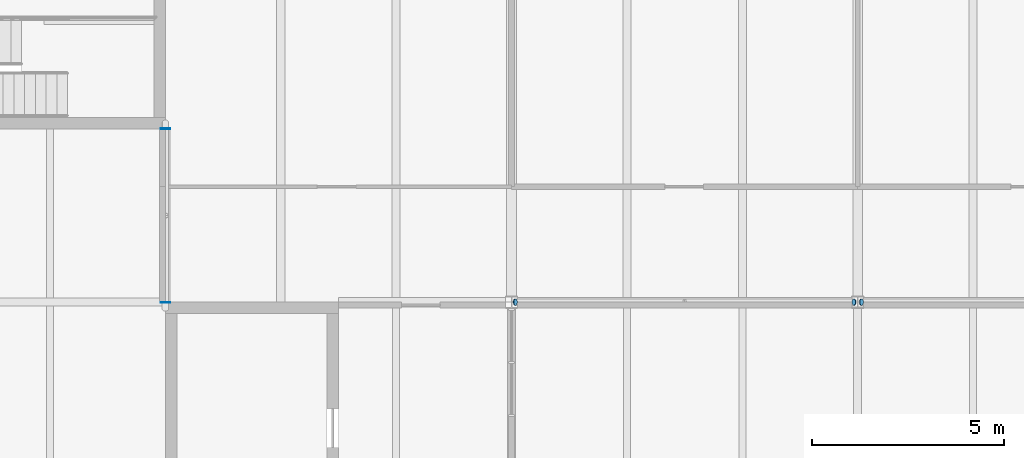
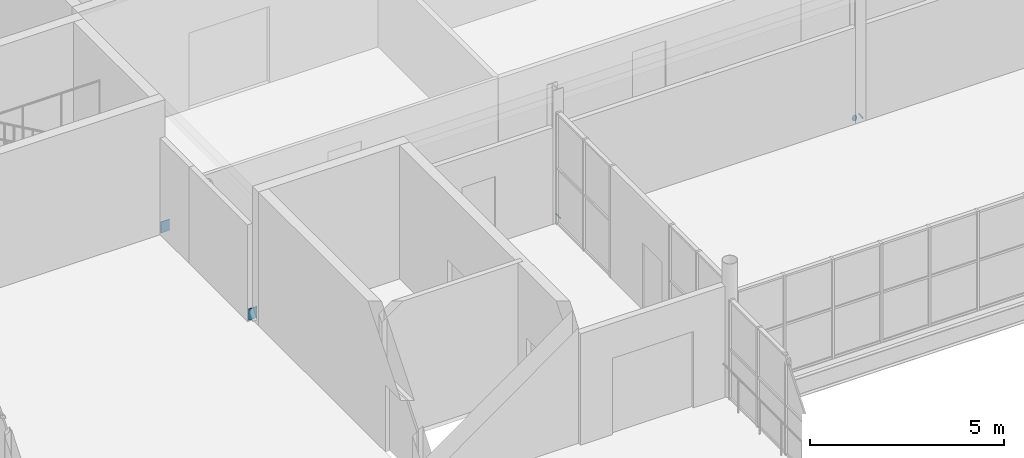
# One storey, part 52 of 61: 5 discrete accessories.
"""IFC4 building model written with IfcOpenShell, lengths in metres."""

from ifc_helpers import new_model, si_unit, direction, frame, origin, origin_2d, place, context, subcontext, project, spatial, rectangle, circle, extrude, element, save


model = new_model("IFC4")

# Units and contexts
model_context = context("Model", 3, precision=1e-05, world=origin(), true_north=direction((0.0, 1.0)))
body_context = subcontext(model_context, "Body", "Model", "MODEL_VIEW")
ifc_project = project(units=[si_unit("LENGTHUNIT", "METRE"), si_unit("AREAUNIT", "SQUARE_METRE"), si_unit("VOLUMEUNIT", "CUBIC_METRE"), si_unit("PLANEANGLEUNIT", "RADIAN"), si_unit("MASSUNIT", "GRAM", prefix="KILO")], contexts=[model_context])

# Site, building, storey
site_placement = place(None, origin())
site = spatial("IfcSite", under=ifc_project, at=site_placement, CompositionType="ELEMENT")
building_placement = place(site_placement, origin())
building = spatial("IfcBuilding", under=site, at=building_placement, Name="Halyard Row Museum", CompositionType="ELEMENT")
storey_placement = place(building_placement, frame((0.0, 0.0, 9.199951171875)))
storey = spatial("IfcBuildingStorey", under=building, at=storey_placement, Name="L02", CompositionType="ELEMENT", Elevation=9.199951171875)

# Discrete accessories
for number, where, z_axis, x_axis, name in (
    (1, (72.0, 36.0, 0.215087890625), (0.0, -1.0, 0.0), (1.0, 0.0, 0.0), "Brace L02 X72 36-40.5 A cast-in plate"),
    (2, (72.0, 40.5, 0.215087890625), (0.0, 1.0, 0.0), (-1.0, 0.0, 0.0), "Brace L02 X72 36-40.5 B cast-in plate"),
):
    element("IfcDiscreteAccessory", number, at=place(storey_placement, frame(where, z_axis=z_axis, x_axis=x_axis)), inside=storey, Name=name, PredefinedType="ANCHORPLATE", context=body_context, shape_type="SweptSolid", body=[
        extrude(rectangle(XDim=0.25, YDim=0.35009765625, at=origin_2d()), origin(), (0.0, 0.0, 1.0), 0.02001953125),
    ])
for number, where, z_axis, x_axis, name in (
    (3, (81.1044921875, 36.0, 0.084228515625), (-0.833932205727, 0.0, -0.551866900848), (0.0, -1.0, 0.0), "Brace L02 Y36 81-90 A foot end plate"),
    (4, (89.8974609375, 36.0, 0.084228515625), (0.837610596839, 0.0, -0.546267780547), (0.0, 1.0, 0.0), "Brace L02 Y36 81-90 B foot end plate"),
    (5, (90.1025390625, 36.0, 0.084228515625), (-0.837610596839, 0.0, -0.546267780547), (0.0, -1.0, 0.0), "Brace L02 Y36 90-99 A foot end plate"),
):
    element("IfcDiscreteAccessory", number, at=place(storey_placement, frame(where, z_axis=z_axis, x_axis=x_axis)), inside=storey, Name=name, PredefinedType="BRACKET", context=body_context, shape_type="SweptSolid", body=[
        extrude(circle(Radius=0.084228515625, at=origin_2d()), origin(), (0.0, 0.0, 1.0), 0.02001953125),
    ])

save(model, "model.ifc")
